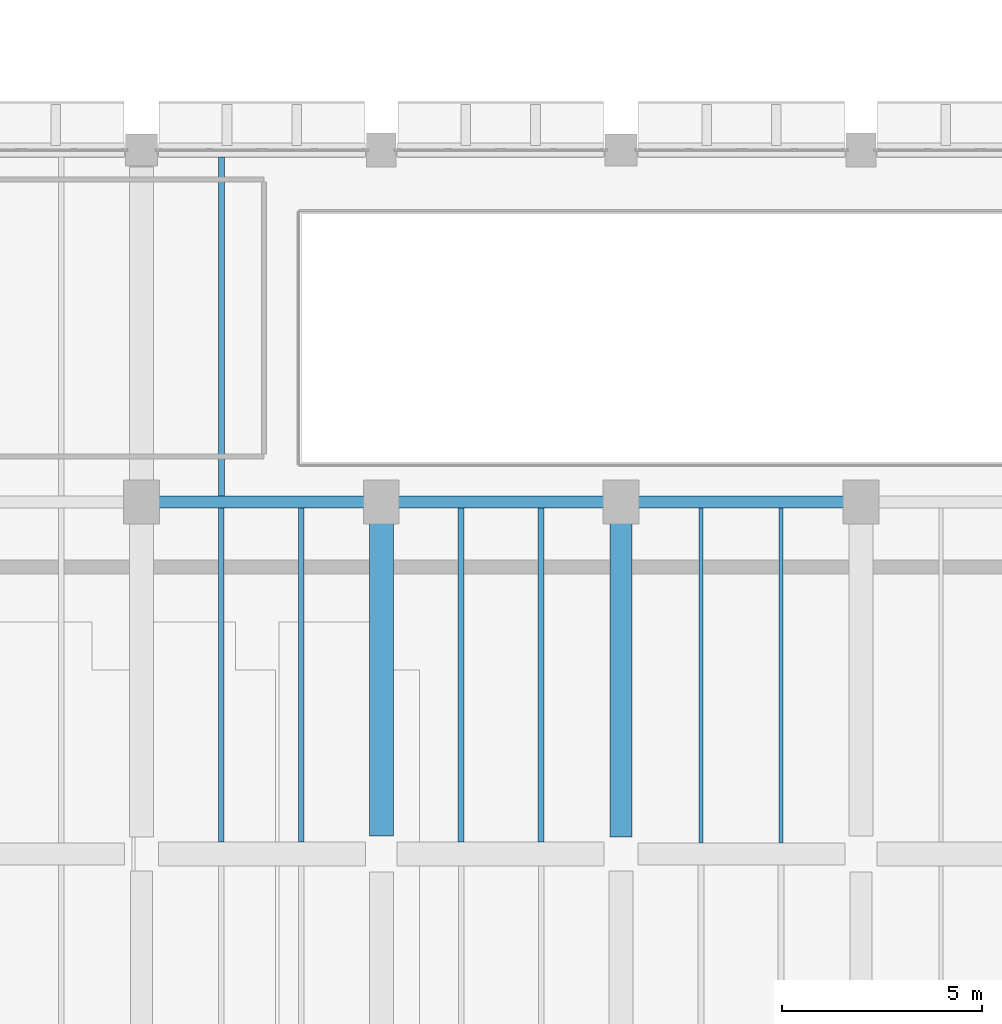
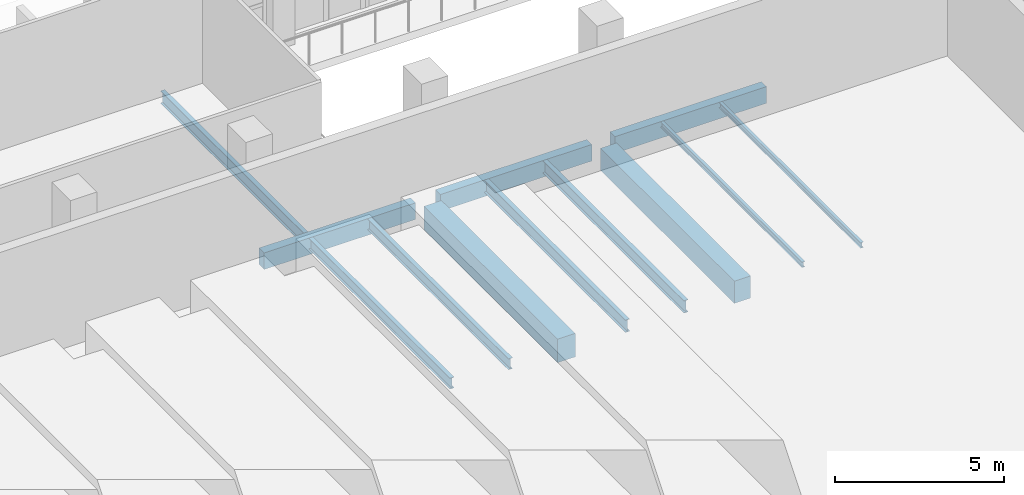
# One storey, part 37 of 76: 12 beams.
"""IFC4 building model written with IfcOpenShell, lengths in metres."""

from ifc_helpers import new_model, si_unit, direction, frame, origin, origin_2d, place, context, subcontext, project, spatial, rectangle, i_section, extrude, material, material_profile, profile_set, type_object, element, save


model = new_model("IFC4")

# Units and contexts
model_context = context("Model", 3, precision=1e-05, world=origin(), true_north=direction((0.0, 1.0)))
body_context = subcontext(model_context, "Body", "Model", "MODEL_VIEW")
ifc_project = project(units=[si_unit("LENGTHUNIT", "METRE"), si_unit("AREAUNIT", "SQUARE_METRE"), si_unit("VOLUMEUNIT", "CUBIC_METRE"), si_unit("PLANEANGLEUNIT", "RADIAN"), si_unit("MASSUNIT", "GRAM", prefix="KILO")], contexts=[model_context])

# Site, building, storey
site_placement = place(None, origin())
site = spatial("IfcSite", under=ifc_project, at=site_placement, CompositionType="ELEMENT")
building_placement = place(site_placement, origin())
building = spatial("IfcBuilding", under=site, at=building_placement, Name="Varnakota Cinema and Media Centre", CompositionType="ELEMENT")
storey_placement = place(building_placement, origin())
storey = spatial("IfcBuildingStorey", under=building, at=storey_placement, Name="L00", CompositionType="ELEMENT", Elevation=0.0)

# Beams
ifc_material_1 = material(Name="Concrete M35", Category="concrete")
ifc_material_profile_1 = material_profile(ifc_material_1, rectangle(XDim=0.550048828125, YDim=0.800048828125, at=origin_2d()), Name="RCB 550x800")
ifc_profile_set_1 = profile_set([ifc_material_profile_1], Name="Concrete M35")
beam_type_1 = type_object("IfcBeamType", Name="BM-RC-550x800", PredefinedType="BEAM", material=ifc_profile_set_1)
beam_1_placement = place(storey_placement, frame((123.0, 26.824951171875, -0.679931640625), z_axis=(0.0, 1.0, 0.0), x_axis=(-1.0, 0.0, 0.0)))
element("IfcBeam", 1, at=beam_1_placement, inside=storey, type_object=beam_type_1, Name="L00 girder T/4-5", PredefinedType="BEAM", context=body_context, shape_type="SweptSolid", body=[
    extrude(rectangle(XDim=0.550048828125, YDim=0.800048828125, at=origin_2d()), origin(), (0.0, 0.0, 1.0), 7.925048828125),
])
ifc_material_2 = material(Name="Concrete M35", Category="concrete")
ifc_material_profile_2 = material_profile(ifc_material_2, rectangle(XDim=0.60009765625, YDim=0.85009765625, at=origin_2d()), Name="RCB 600x850")
ifc_profile_set_2 = profile_set([ifc_material_profile_2], Name="Concrete M35")
beam_type_2 = type_object("IfcBeamType", Name="BM-RC-600x850", PredefinedType="BEAM", material=ifc_profile_set_2)
beam_2_placement = place(storey_placement, frame((117.0, 26.85009765625, -0.705078125), z_axis=(0.0, 1.0, 0.0), x_axis=(-1.0, 0.0, 0.0)))
element("IfcBeam", 2, at=beam_2_placement, inside=storey, type_object=beam_type_2, Name="L00 girder S/4-5", PredefinedType="BEAM", context=body_context, shape_type="SweptSolid", body=[
    extrude(rectangle(XDim=0.60009765625, YDim=0.85009765625, at=origin_2d()), origin(), (0.0, 0.0, 1.0), 7.9248046875),
])
ifc_material_3 = material(Name="Concrete M35", Category="concrete")
ifc_material_profile_3 = material_profile(ifc_material_3, rectangle(XDim=0.300048828125, YDim=0.60009765625, at=origin_2d()), Name="RCB 300x600")
ifc_profile_set_3 = profile_set([ifc_material_profile_3], Name="Concrete M35")
beam_type_3 = type_object("IfcBeamType", Name="BM-SP-300x600", PredefinedType="SPANDREL", material=ifc_profile_set_3)
for number, where, z_axis, x_axis, name in (
    (3, (111.39990234375, 35.199951171875, -0.580078125), (1.0, 0.0, 0.0), (0.0, 1.0, 0.0), "L00 girder R-S/5"),
    (4, (117.425048828125, 35.199951171875, -0.580078125), (1.0, 0.0, 0.0), (0.0, 1.0, 0.0), "L00 girder S-T/5"),
    (5, (123.39990234375, 35.199951171875, -0.580078125), (1.0, 0.0, 0.0), (0.0, 1.0, 0.0), "L00 girder T-U/5"),
):
    element("IfcBeam", number, at=place(storey_placement, frame(where, z_axis=z_axis, x_axis=x_axis)), inside=storey, type_object=beam_type_3, Name=name, PredefinedType="SPANDREL", context=body_context, shape_type="SweptSolid", body=[
        extrude(rectangle(XDim=0.300048828125, YDim=0.60009765625, at=origin_2d()), origin(), (0.0, 0.0, 1.0), 5.175048828125),
    ])
ifc_material_4 = material(Name="Structural steel Grade 350 (E350)", Category="steel")
ifc_material_profile_4 = material_profile(ifc_material_4, i_section(OverallWidth=0.10009765625, OverallDepth=0.199951171875, WebThickness=0.005615234375, FlangeThickness=0.0107421875, FilletRadius=0.010986328125, at=origin_2d()), Name="ISMB 200")
ifc_profile_set_4 = profile_set([ifc_material_profile_4], Name="Structural steel Grade 350 (E350)")
beam_type_4 = type_object("IfcBeamType", Name="BM-ST-ISMB200", PredefinedType="JOIST", material=ifc_profile_set_4)
for number, where, z_axis, x_axis, name in (
    (6, (125.0, 26.675048828125, -0.3798828125), (0.0, 1.0, 0.0), (-1.0, 0.0, 0.0), "L00 steel joist T-U/4-5 #1"),
    (7, (127.0, 26.675048828125, -0.3798828125), (0.0, 1.0, 0.0), (-1.0, 0.0, 0.0), "L00 steel joist T-U/4-5 #2"),
):
    element("IfcBeam", number, at=place(storey_placement, frame(where, z_axis=z_axis, x_axis=x_axis)), inside=storey, type_object=beam_type_4, Name=name, PredefinedType="JOIST", context=body_context, shape_type="SweptSolid", body=[
        extrude(i_section(OverallWidth=0.10009765625, OverallDepth=0.199951171875, WebThickness=0.005615234375, FlangeThickness=0.0107421875, FilletRadius=0.010986328125, at=origin_2d()), origin(), (0.0, 0.0, 1.0), 8.375),
    ])
ifc_material_5 = material(Name="Structural steel Grade 350 (E350)", Category="steel")
ifc_material_profile_5 = material_profile(ifc_material_5, i_section(OverallWidth=0.139892578125, OverallDepth=0.39990234375, WebThickness=0.0087890625, FlangeThickness=0.01611328125, FilletRadius=0.013916015625, at=origin_2d()), Name="ISMB 400")
ifc_profile_set_5 = profile_set([ifc_material_profile_5], Name="Structural steel Grade 350 (E350)")
beam_type_5 = type_object("IfcBeamType", Name="BM-ST-ISMB400", PredefinedType="JOIST", material=ifc_profile_set_5)
for number, where, z_axis, x_axis, name in (
    (8, (113.0, 26.699951171875, -0.47998046875), (0.0, 1.0, 0.0), (-1.0, 0.0, 0.0), "L00 steel joist R-S/4-5 #1"),
    (9, (115.0, 26.699951171875, -0.47998046875), (0.0, 1.0, 0.0), (-1.0, 0.0, 0.0), "L00 steel joist R-S/4-5 #2"),
):
    element("IfcBeam", number, at=place(storey_placement, frame(where, z_axis=z_axis, x_axis=x_axis)), inside=storey, type_object=beam_type_5, Name=name, PredefinedType="JOIST", context=body_context, shape_type="SweptSolid", body=[
        extrude(i_section(OverallWidth=0.139892578125, OverallDepth=0.39990234375, WebThickness=0.0087890625, FlangeThickness=0.01611328125, FilletRadius=0.013916015625, at=origin_2d()), origin(), (0.0, 0.0, 1.0), 8.35009765625),
    ])
ifc_material_6 = material(Name="Structural steel Grade 350 (E350)", Category="steel")
ifc_material_profile_6 = material_profile(ifc_material_6, i_section(OverallWidth=0.14990234375, OverallDepth=0.449951171875, WebThickness=0.009521484375, FlangeThickness=0.017333984375, FilletRadius=0.014892578125, at=origin_2d()), Name="ISMB 450")
ifc_profile_set_6 = profile_set([ifc_material_profile_6], Name="Structural steel Grade 350 (E350)")
beam_type_6 = type_object("IfcBeamType", Name="BM-ST-ISMB450", PredefinedType="BEAM", material=ifc_profile_set_6)
beam_3_placement = place(storey_placement, frame((113.0, 35.35009765625, -0.5048828125), z_axis=(0.0, 1.0, 0.0), x_axis=(-1.0, 0.0, 0.0)))
element("IfcBeam", 10, at=beam_3_placement, inside=storey, type_object=beam_type_6, Name="L00 steel joist R-S/5-6 #1", PredefinedType="BEAM", context=body_context, shape_type="SweptSolid", body=[
    extrude(i_section(OverallWidth=0.14990234375, OverallDepth=0.449951171875, WebThickness=0.009521484375, FlangeThickness=0.017333984375, FilletRadius=0.014892578125, at=origin_2d()), origin(), (0.0, 0.0, 1.0), 8.474853515625),
])
for number, where, z_axis, x_axis, name in (
    (11, (119.0, 26.699951171875, -0.5048828125), (0.0, 1.0, 0.0), (-1.0, 0.0, 0.0), "L00 steel joist S-T/4-5 #1"),
    (12, (121.0, 26.699951171875, -0.5048828125), (0.0, 1.0, 0.0), (-1.0, 0.0, 0.0), "L00 steel joist S-T/4-5 #2"),
):
    element("IfcBeam", number, at=place(storey_placement, frame(where, z_axis=z_axis, x_axis=x_axis)), inside=storey, type_object=beam_type_6, Name=name, PredefinedType="BEAM", context=body_context, shape_type="SweptSolid", body=[
        extrude(i_section(OverallWidth=0.14990234375, OverallDepth=0.449951171875, WebThickness=0.009521484375, FlangeThickness=0.017333984375, FilletRadius=0.014892578125, at=origin_2d()), origin(), (0.0, 0.0, 1.0), 8.35009765625),
    ])

save(model, "model.ifc")
